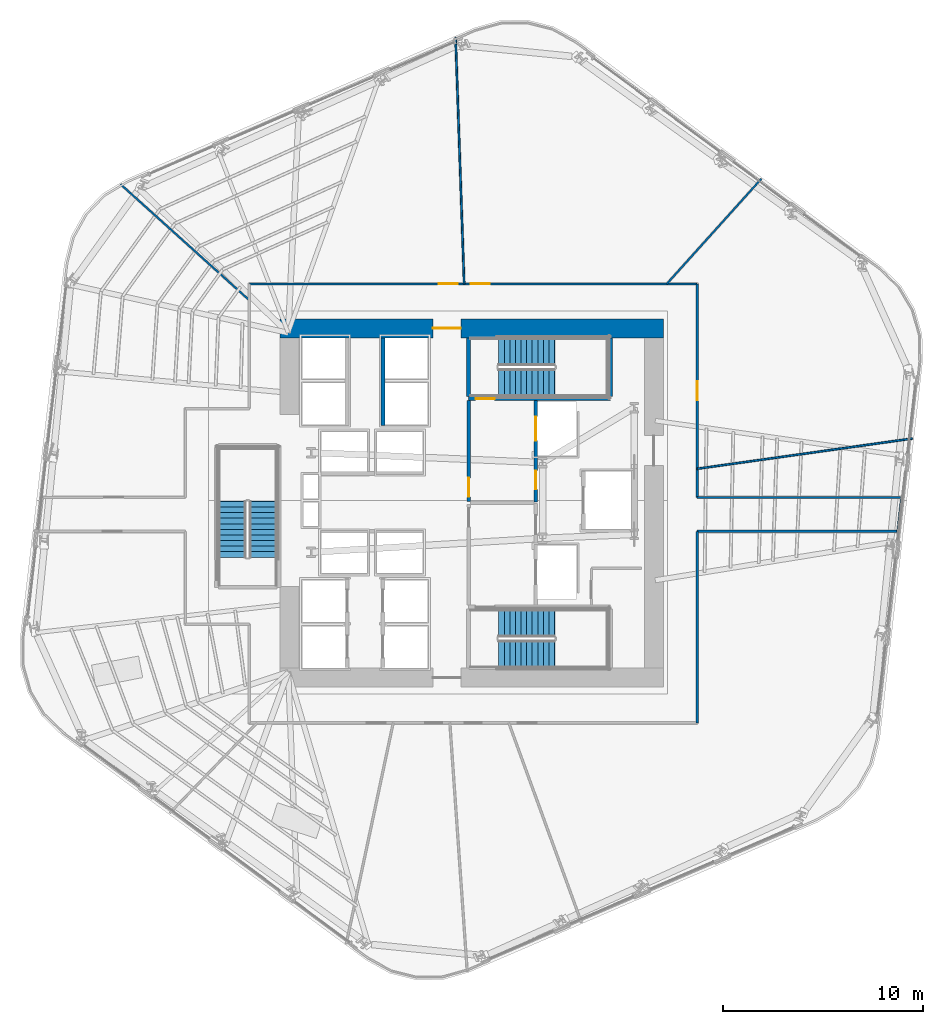
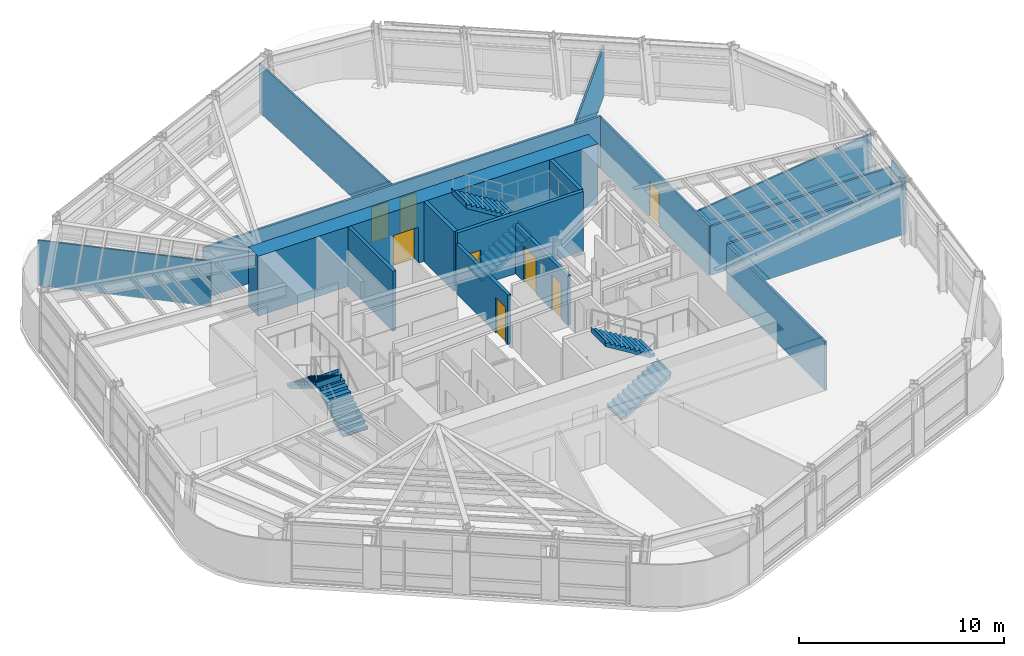
# One storey, part 10 of 16: 17 walls, 8 doors, 6 stair flights, 8 openings, 3 elements without a shape of their own.
"""IFC4 building model written with IfcOpenShell, lengths in metres."""

from ifc_helpers import new_model, si_unit, direction, frame, frame_2d, origin, place, context, subcontext, project, spatial, polyline, rectangle, outline, extrude, material, layer, layer_set, type_object, element, fill, aggregate, save


model = new_model("IFC4")

# Units and contexts
model_context = context("Model", 3, precision=1e-05, world=origin(), true_north=direction((0.0, 1.0)))
body_context = subcontext(model_context, "Body", "Model", "MODEL_VIEW")
ifc_project = project(units=[si_unit("LENGTHUNIT", "METRE"), si_unit("AREAUNIT", "SQUARE_METRE"), si_unit("VOLUMEUNIT", "CUBIC_METRE"), si_unit("PLANEANGLEUNIT", "RADIAN"), si_unit("MASSUNIT", "GRAM", prefix="KILO")], contexts=[model_context])

# Site, building, storey
site_placement = place(None, origin())
site = spatial("IfcSite", under=ifc_project, at=site_placement, CompositionType="ELEMENT")
building_placement = place(site_placement, origin())
building = spatial("IfcBuilding", under=site, at=building_placement, Name="Valkerne Bourse Tower", CompositionType="ELEMENT")
storey_placement = place(building_placement, frame((0.0, 0.0, 123.800048828125)))
storey = spatial("IfcBuildingStorey", under=building, at=storey_placement, Name="L31", CompositionType="ELEMENT", Elevation=123.800048828125)

# Wall, opening, door
ifc_material_1 = material(Name="Concrete C70/85", Category="concrete")
ifc_layer_1 = layer(ifc_material_1, 0.949951171875)
ifc_layer_set_1 = layer_set([ifc_layer_1], Name="Concrete C70/85")
wall_type_1 = type_object("IfcWallType", Name="W-CORE-950", PredefinedType="SHEAR", material=ifc_layer_set_1)
wall_1_placement = place(storey_placement, frame((37.199951171875, 35.625, 0.0), z_axis=(0.0, 0.0, 1.0), x_axis=(1.0, 0.0, 0.0)))
wall_1 = element("IfcWall", 1, at=wall_1_placement, inside=storey, type_object=wall_type_1, Name="L31 Core Shear Wall NORTH", PredefinedType="SHEAR", context=body_context, shape_type="SweptSolid", body=[
    extrude(rectangle(XDim=19.199951171875, YDim=0.949951171875, at=frame_2d((9.60009765625, 0.0))), origin(), (0.0, 0.0, 1.0), 3.579833984375),
])
opening_1_placement = place(wall_1_placement, frame((7.64990234375, 0.0, 0.0)))
opening_1 = element("IfcOpeningElement", 2, at=opening_1_placement, cuts=wall_1, Name="Opening D-PL-1400", PredefinedType="OPENING", context=body_context, shape_type="SweptSolid", body=[
    extrude(rectangle(XDim=1.39990234375, YDim=2.14990234375, at=frame_2d((0.699951171875, 1.074951171875))), frame((0.0, 0.48486328125, 0.0), z_axis=(0.0, -1.0, 0.0), x_axis=(1.0, 0.0, 0.0)), (0.0, 0.0, 1.0), 0.969970703125),
])
ifc_material_2 = material(Name="Galvanised Painted Steel", Category="steel")
door_type_1 = type_object("IfcDoorType", Name="DR-PLT-1400", OperationType="DOUBLE_DOOR_SINGLE_SWING", PredefinedType="DOOR", material=ifc_material_2)
door_1_placement = place(opening_1_placement, origin())
door_1 = element("IfcDoor", 3, at=door_1_placement, inside=storey, type_object=door_type_1, Name="L31 North Passenger Lift Hall Fire Door", OperationType="DOUBLE_DOOR_SINGLE_SWING", OverallHeight=2.14990234375, OverallWidth=1.39990234375, PredefinedType="DOOR", context=body_context, shape_type="SweptSolid", body=[
    extrude(rectangle(XDim=1.39990234375, YDim=2.14990234375, at=frame_2d((0.699951171875, 1.074951171875))), frame((0.0, 0.02490234375, 0.0), z_axis=(0.0, -1.0, 0.0), x_axis=(1.0, 0.0, 0.0)), (0.0, 0.0, 1.0), 0.050048828125),
])
fill(opening_1, door_1)

# Walls
ifc_material_3 = material(Name="Gypsum Board Steel-Stud Partition", Category="steel")
ifc_layer_2 = layer(ifc_material_3, 0.117919921875)
ifc_layer_set_2 = layer_set([ifc_layer_2], Name="Gypsum Board Steel-Stud Partition")
wall_type_2 = type_object("IfcWallType", Name="W-CORR-140", PredefinedType="PARTITIONING", material=ifc_layer_set_2)
wall_2_placement = place(storey_placement, frame((58.10009765625, 27.14990234375, 0.0), z_axis=(0.0, 0.0, 1.0), x_axis=(1.0, 0.0, 0.0)))
element("IfcWall", 4, at=wall_2_placement, inside=storey, type_object=wall_type_2, Name="L31 Corridor Enclosure Wall", PredefinedType="PARTITIONING", context=body_context, shape_type="SweptSolid", body=[
    extrude(rectangle(XDim=10.2001953125, YDim=0.117919921875, at=frame_2d((5.10009765625, 0.0))), origin(), (0.0, 0.0, 1.0), 2.92236328125),
])
wall_3_placement = place(storey_placement, frame((68.340087890625, 27.105224609375, 0.0), z_axis=(0.0, 0.0, 1.0), x_axis=(-0.112843923144, -0.993612725869, 0.0)))
element("IfcWall", 5, at=wall_3_placement, inside=storey, type_object=wall_type_2, Name="L31 Corridor Enclosure Wall", PredefinedType="PARTITIONING", context=body_context, shape_type="SweptSolid", body=[
    extrude(rectangle(XDim=1.666015625, YDim=0.117919921875, at=frame_2d((0.8330078125, 0.0))), origin(), (0.0, 0.0, 1.0), 3.280029296875),
])
wall_4_placement = place(storey_placement, frame((68.152099609375, 25.449951171875, 0.0), z_axis=(0.0, 0.0, 1.0), x_axis=(-1.0, 0.0, 0.0)))
element("IfcWall", 6, at=wall_4_placement, inside=storey, type_object=wall_type_2, Name="L31 Corridor Enclosure Wall", PredefinedType="PARTITIONING", context=body_context, shape_type="SweptSolid", body=[
    extrude(rectangle(XDim=10.052001953125, YDim=0.117919921875, at=frame_2d((5.02587890625, 0.0))), origin(), (0.0, 0.0, 1.0), 2.92236328125),
])
wall_5_placement = place(storey_placement, frame((58.10009765625, 25.449951171875, 0.0), z_axis=(0.0, 0.0, 1.0), x_axis=(0.0, -1.0, 0.0)))
element("IfcWall", 7, at=wall_5_placement, inside=storey, type_object=wall_type_2, Name="L31 Corridor Enclosure Wall", PredefinedType="PARTITIONING", context=body_context, shape_type="SweptSolid", body=[
    extrude(rectangle(XDim=9.599853515625, YDim=0.117919921875, at=frame_2d((4.7998046875, 0.0))), origin(), (0.0, 0.0, 1.0), 2.87646484375),
])

# Wall, openings, doors
wall_6_placement = place(storey_placement, frame((35.64990234375, 37.85009765625, 0.0), z_axis=(0.0, 0.0, 1.0), x_axis=(1.0, 0.0, 0.0)))
wall_6 = element("IfcWall", 8, at=wall_6_placement, inside=storey, type_object=wall_type_2, Name="L31 Corridor Enclosure Wall", PredefinedType="PARTITIONING", context=body_context, shape_type="SweptSolid", body=[
    extrude(rectangle(XDim=22.4501953125, YDim=0.117919921875, at=frame_2d((11.22509765625, 0.0))), origin(), (0.0, 0.0, 1.0), 3.03662109375),
])
opening_2_placement = place(wall_6_placement, frame((9.489990234375, 0.0, 0.0)))
opening_2 = element("IfcOpeningElement", 9, at=opening_2_placement, cuts=wall_6, Name="Opening D-OF-950", PredefinedType="OPENING", context=body_context, shape_type="SweptSolid", body=[
    extrude(rectangle(XDim=0.949951171875, YDim=2.10009765625, at=frame_2d((0.47509765625, 1.050048828125))), frame((0.0, 0.06884765625, 0.0), z_axis=(0.0, -1.0, 0.0), x_axis=(1.0, 0.0, 0.0)), (0.0, 0.0, 1.0), 0.137939453125),
])
opening_3_placement = place(wall_6_placement, frame((11.110107421875, 0.0, 0.0)))
opening_3 = element("IfcOpeningElement", 10, at=opening_3_placement, cuts=wall_6, Name="Opening D-OF-950", PredefinedType="OPENING", context=body_context, shape_type="SweptSolid", body=[
    extrude(rectangle(XDim=0.949951171875, YDim=2.10009765625, at=frame_2d((0.47509765625, 1.050048828125))), frame((0.0, 0.06884765625, 0.0), z_axis=(0.0, -1.0, 0.0), x_axis=(1.0, 0.0, 0.0)), (0.0, 0.0, 1.0), 0.137939453125),
])
ifc_material_4 = material(Name="Architectural White Oak Timber", Category="wood")
door_type_2 = type_object("IfcDoorType", Name="DR-OFF-950", OperationType="NOTDEFINED", PredefinedType="DOOR", material=ifc_material_4)
door_2_placement = place(opening_2_placement, origin())
door_2 = element("IfcDoor", 11, at=door_2_placement, inside=storey, type_object=door_type_2, Name="L31 L31 Hospitality Catering Kitchen 7 Door", OperationType="SINGLE_SWING_LEFT", OverallHeight=2.10009765625, OverallWidth=0.949951171875, PredefinedType="DOOR", context=body_context, shape_type="SweptSolid", body=[
    extrude(rectangle(XDim=0.949951171875, YDim=2.10009765625, at=frame_2d((0.47509765625, 1.050048828125))), frame((0.0, 0.02490234375, 0.0), z_axis=(0.0, -1.0, 0.0), x_axis=(1.0, 0.0, 0.0)), (0.0, 0.0, 1.0), 0.050048828125),
])
fill(opening_2, door_2)
door_3_placement = place(opening_3_placement, origin())
door_3 = element("IfcDoor", 12, at=door_3_placement, inside=storey, type_object=door_type_2, Name="L31 L31 Hospitality Catering Kitchen 8 Door", OperationType="SINGLE_SWING_LEFT", OverallHeight=2.10009765625, OverallWidth=0.949951171875, PredefinedType="DOOR", context=body_context, shape_type="SweptSolid", body=[
    extrude(rectangle(XDim=0.949951171875, YDim=2.10009765625, at=frame_2d((0.47509765625, 1.050048828125))), frame((0.0, 0.02490234375, 0.0), z_axis=(0.0, -1.0, 0.0), x_axis=(1.0, 0.0, 0.0)), (0.0, 0.0, 1.0), 0.050048828125),
])
fill(opening_3, door_3)

# Wall, opening, door
wall_7_placement = place(storey_placement, frame((58.10009765625, 37.85009765625, 0.0), z_axis=(0.0, 0.0, 1.0), x_axis=(0.0, -1.0, 0.0)))
wall_7 = element("IfcWall", 13, at=wall_7_placement, inside=storey, type_object=wall_type_2, Name="L31 Corridor Enclosure Wall", PredefinedType="PARTITIONING", context=body_context, shape_type="SweptSolid", body=[
    extrude(rectangle(XDim=10.7001953125, YDim=0.117919921875, at=frame_2d((5.35009765625, 0.0))), origin(), (0.0, 0.0, 1.0), 2.962890625),
])
opening_4_placement = place(wall_7_placement, frame((4.875, 0.0, 0.0)))
opening_4 = element("IfcOpeningElement", 14, at=opening_4_placement, cuts=wall_7, Name="Opening D-OF-950", PredefinedType="OPENING", context=body_context, shape_type="SweptSolid", body=[
    extrude(rectangle(XDim=0.949951171875, YDim=2.10009765625, at=frame_2d((0.47509765625, 1.050048828125))), frame((0.0, 0.06884765625, 0.0), z_axis=(0.0, -1.0, 0.0), x_axis=(1.0, 0.0, 0.0)), (0.0, 0.0, 1.0), 0.137939453125),
])
door_4_placement = place(opening_4_placement, origin())
door_4 = element("IfcDoor", 15, at=door_4_placement, inside=storey, type_object=door_type_2, Name="L31 L31 Occupational Wellness Clinic 6 Door", OperationType="SINGLE_SWING_LEFT", OverallHeight=2.10009765625, OverallWidth=0.949951171875, PredefinedType="DOOR", context=body_context, shape_type="SweptSolid", body=[
    extrude(rectangle(XDim=0.949951171875, YDim=2.10009765625, at=frame_2d((0.47509765625, 1.050048828125))), frame((0.0, 0.02490234375, 0.0), z_axis=(0.0, -1.0, 0.0), x_axis=(1.0, 0.0, 0.0)), (0.0, 0.0, 1.0), 0.050048828125),
])
fill(opening_4, door_4)

ifc_material_5 = material(Name="Gypsum Fire-Rated Shaftwall", Category="gypsum")
ifc_layer_3 = layer(ifc_material_5, 0.179931640625)
ifc_layer_set_3 = layer_set([ifc_layer_3], Name="Gypsum Fire-Rated Shaftwall")
wall_type_3 = type_object("IfcWallType", Name="W-FSAE-180", PredefinedType="PARTITIONING", material=ifc_layer_set_3)
wall_8_placement = place(storey_placement, frame((46.64990234375, 26.9599609375, 0.0), z_axis=(0.0, 0.0, 1.0), x_axis=(0.0, 1.0, 0.0)))
wall_8 = element("IfcWall", 16, at=wall_8_placement, inside=storey, type_object=wall_type_3, Name="L31 FSAE-2 Lobby West Fire Wall", PredefinedType="PARTITIONING", context=body_context, shape_type="SweptSolid", body=[
    extrude(rectangle(XDim=5.0400390625, YDim=0.179931640625, at=frame_2d((2.52001953125, 0.0))), origin(), (0.0, 0.0, 1.0), 2.957763671875),
])
opening_5_placement = place(wall_8_placement, frame((0.219970703125, 0.0, 0.0)))
opening_5 = element("IfcOpeningElement", 17, at=opening_5_placement, cuts=wall_8, Name="Opening D-FS-950", PredefinedType="OPENING", context=body_context, shape_type="SweptSolid", body=[
    extrude(rectangle(XDim=0.949951171875, YDim=2.10009765625, at=frame_2d((0.47509765625, 1.050048828125))), frame((0.0, 0.099853515625, 0.0), z_axis=(0.0, -1.0, 0.0), x_axis=(1.0, 0.0, 0.0)), (0.0, 0.0, 1.0), 0.199951171875),
])
door_type_3 = type_object("IfcDoorType", Name="DR-FSAE-950", OperationType="NOTDEFINED", PredefinedType="DOOR", material=ifc_material_2)
door_5_placement = place(opening_5_placement, origin())
door_5 = element("IfcDoor", 18, at=door_5_placement, inside=storey, type_object=door_type_3, Name="L31 FSAE-2 Hall Link Fire Door", OperationType="SINGLE_SWING_LEFT", OverallHeight=2.10009765625, OverallWidth=0.949951171875, PredefinedType="DOOR", context=body_context, shape_type="SweptSolid", body=[
    extrude(rectangle(XDim=0.949951171875, YDim=2.10009765625, at=frame_2d((0.47509765625, 1.050048828125))), frame((0.0, 0.02490234375, 0.0), z_axis=(0.0, -1.0, 0.0), x_axis=(1.0, 0.0, 0.0)), (0.0, 0.0, 1.0), 0.050048828125),
])
fill(opening_5, door_5)

# Wall, openings, doors
wall_9_placement = place(storey_placement, frame((50.0, 26.919921875, 0.0), z_axis=(0.0, 0.0, 1.0), x_axis=(0.0, 1.0, 0.0)))
wall_9 = element("IfcWall", 19, at=wall_9_placement, inside=storey, type_object=wall_type_3, Name="L31 FSAE-2 Lobby & Shaft Front Wall", PredefinedType="PARTITIONING", context=body_context, shape_type="SweptSolid", body=[
    extrude(rectangle(XDim=5.080078125, YDim=0.179931640625, at=frame_2d((2.5400390625, 0.0))), origin(), (0.0, 0.0, 1.0), 2.957763671875),
])
opening_6_placement = place(wall_9_placement, frame((3.080078125, 0.0, 0.0)))
opening_6 = element("IfcOpeningElement", 20, at=opening_6_placement, cuts=wall_9, Name="Opening LD-1200", PredefinedType="OPENING", context=body_context, shape_type="SweptSolid", body=[
    extrude(rectangle(XDim=1.199951171875, YDim=2.14990234375, at=frame_2d((0.60009765625, 1.074951171875))), frame((0.0, 0.099853515625, 0.0), z_axis=(0.0, -1.0, 0.0), x_axis=(1.0, 0.0, 0.0)), (0.0, 0.0, 1.0), 0.199951171875),
])
opening_7_placement = place(wall_9_placement, frame((0.6298828125, 0.0, 0.0)))
opening_7 = element("IfcOpeningElement", 21, at=opening_7_placement, cuts=wall_9, Name="Opening D-FS-950", PredefinedType="OPENING", context=body_context, shape_type="SweptSolid", body=[
    extrude(rectangle(XDim=0.949951171875, YDim=2.10009765625, at=frame_2d((0.47509765625, 1.050048828125))), frame((0.0, 0.099853515625, 0.0), z_axis=(0.0, -1.0, 0.0), x_axis=(1.0, 0.0, 0.0)), (0.0, 0.0, 1.0), 0.199951171875),
])
door_6_placement = place(opening_7_placement, origin())
door_6 = element("IfcDoor", 22, at=door_6_placement, inside=storey, type_object=door_type_3, Name="L31 FSAE-2 Lobby Corridor Fire Door", OperationType="SINGLE_SWING_RIGHT", OverallHeight=2.10009765625, OverallWidth=0.949951171875, PredefinedType="DOOR", context=body_context, shape_type="SweptSolid", body=[
    extrude(rectangle(XDim=0.949951171875, YDim=2.10009765625, at=frame_2d((0.47509765625, 1.050048828125))), frame((0.0, 0.02490234375, 0.0), z_axis=(0.0, -1.0, 0.0), x_axis=(1.0, 0.0, 0.0)), (0.0, 0.0, 1.0), 0.050048828125),
])
fill(opening_7, door_6)
ifc_material_6 = material(Name="Stainless Steel AISI 316", Category="steel")
door_type_4 = type_object("IfcDoorType", Name="DR-LIFT-1200", OperationType="DOUBLE_DOOR_SLIDING", PredefinedType="DOOR", material=ifc_material_6)
door_7_placement = place(opening_6_placement, origin())
door_7 = element("IfcDoor", 23, at=door_7_placement, inside=storey, type_object=door_type_4, Name="L31 FSAE-2 Firefighting Lift Landing Door", OperationType="DOUBLE_DOOR_SLIDING", OverallHeight=2.14990234375, OverallWidth=1.199951171875, PredefinedType="DOOR", context=body_context, shape_type="SweptSolid", body=[
    extrude(rectangle(XDim=1.199951171875, YDim=2.14990234375, at=frame_2d((0.60009765625, 1.074951171875))), frame((0.0, 0.02490234375, 0.0), z_axis=(0.0, -1.0, 0.0), x_axis=(1.0, 0.0, 0.0)), (0.0, 0.0, 1.0), 0.050048828125),
])
fill(opening_6, door_7)

# Walls
ifc_material_7 = material(Name="CMU Blockwork Masonry 200mm", Category="masonry")
ifc_layer_4 = layer(ifc_material_7, 0.179931640625)
ifc_layer_set_4 = layer_set([ifc_layer_4], Name="CMU Blockwork Masonry 200mm")
wall_type_4 = type_object("IfcWallType", Name="W-LFT-180", PredefinedType="SOLIDWALL", material=ifc_layer_set_4)
wall_10_placement = place(storey_placement, frame((42.35009765625, 30.75, 0.0), z_axis=(0.0, 0.0, 1.0), x_axis=(0.0, 1.0, 0.0)))
element("IfcWall", 24, at=wall_10_placement, inside=storey, type_object=wall_type_4, Name="L31 Mid-Zone East Cars Front Wall", PredefinedType="SOLIDWALL", context=body_context, shape_type="SweptSolid", body=[
    extrude(rectangle(XDim=4.39990234375, YDim=0.179931640625, at=frame_2d((2.199951171875, 0.0))), origin(), (0.0, 0.0, 1.0), 3.579833984375),
])
ifc_layer_5 = layer(ifc_material_3, 0.092041015625)
ifc_layer_set_5 = layer_set([ifc_layer_5], Name="Gypsum Board Steel-Stud Partition")
wall_type_5 = type_object("IfcWallType", Name="W-PART-115", PredefinedType="PARTITIONING", material=ifc_layer_set_5)
wall_11_placement = place(storey_placement, frame((58.10498046875, 28.5888671875, 0.0), z_axis=(0.0, 0.0, 1.0), x_axis=(0.990270095664, 0.139158677892, 0.0)))
element("IfcWall", 25, at=wall_11_placement, inside=storey, type_object=wall_type_5, Name="L31 Suite Partition P04", PredefinedType="PARTITIONING", context=body_context, shape_type="SweptSolid", body=[
    extrude(rectangle(XDim=10.89306640625, YDim=0.092041015625, at=frame_2d((5.446533203125, 0.0))), origin(), (0.0, 0.0, 1.0), 2.92236328125),
])
wall_12_placement = place(storey_placement, frame((56.573974609375, 37.85498046875, 0.0), z_axis=(0.0, 0.0, 1.0), x_axis=(0.669115101408, 0.743158785905, 0.0)))
element("IfcWall", 26, at=wall_12_placement, inside=storey, type_object=wall_type_5, Name="L31 Suite Partition P05", PredefinedType="PARTITIONING", context=body_context, shape_type="SweptSolid", body=[
    extrude(rectangle(XDim=7.085693359375, YDim=0.092041015625, at=frame_2d((3.54296875, 0.0))), origin(), (0.0, 0.0, 1.0), 2.92236328125),
])
wall_13_placement = place(storey_placement, frame((46.4208984375, 37.85498046875, 0.0), z_axis=(0.0, 0.0, 1.0), x_axis=(-0.03490794398, 0.999390531998, 0.0)))
element("IfcWall", 27, at=wall_13_placement, inside=storey, type_object=wall_type_5, Name="L31 Suite Partition P06", PredefinedType="PARTITIONING", context=body_context, shape_type="SweptSolid", body=[
    extrude(rectangle(XDim=12.358154296875, YDim=0.092041015625, at=frame_2d((6.17919921875, 0.0))), origin(), (0.0, 0.0, 1.0), 2.92236328125),
])
wall_14_placement = place(storey_placement, frame((35.64501953125, 37.0439453125, 0.0), z_axis=(0.0, 0.0, 1.0), x_axis=(-0.743147132013, 0.669128044683, 0.0)))
element("IfcWall", 28, at=wall_14_placement, inside=storey, type_object=wall_type_5, Name="L31 Suite Partition P07", PredefinedType="PARTITIONING", context=body_context, shape_type="SweptSolid", body=[
    extrude(rectangle(XDim=8.67138671875, YDim=0.092041015625, at=frame_2d((4.335693359375, 0.0))), origin(), (0.0, 0.0, 1.0), 2.71142578125),
])

# Wall, opening, door
ifc_material_8 = material(Name="Concrete C40/50", Category="concrete")
ifc_layer_6 = layer(ifc_material_8, 0.199951171875)
ifc_layer_set_6 = layer_set([ifc_layer_6], Name="Concrete C40/50")
wall_type_6 = type_object("IfcWallType", Name="W-SHF-200", PredefinedType="SHEAR", material=ifc_layer_set_6)
wall_15_placement = place(storey_placement, frame((46.64990234375, 32.10009765625, 0.0), z_axis=(0.0, 0.0, 1.0), x_axis=(1.0, 0.0, 0.0)))
wall_15 = element("IfcWall", 29, at=wall_15_placement, inside=storey, type_object=wall_type_6, Name="L31 Exit Stair ST-2 Structural Shaft Wall South", PredefinedType="SHEAR", context=body_context, shape_type="SweptSolid", body=[
    extrude(rectangle(XDim=7.10009765625, YDim=0.199951171875, at=frame_2d((3.550048828125, 0.0))), origin(), (0.0, 0.0, 1.0), 3.579833984375),
])
opening_8_placement = place(wall_15_placement, frame((0.35009765625, 0.0, 0.0)))
opening_8 = element("IfcOpeningElement", 30, at=opening_8_placement, cuts=wall_15, Name="Opening D-ST-950", PredefinedType="OPENING", context=body_context, shape_type="SweptSolid", body=[
    extrude(rectangle(XDim=0.949951171875, YDim=2.10009765625, at=frame_2d((0.47509765625, 1.050048828125))), frame((0.0, 0.10986328125, 0.0), z_axis=(0.0, -1.0, 0.0), x_axis=(1.0, 0.0, 0.0)), (0.0, 0.0, 1.0), 0.219970703125),
])
door_type_5 = type_object("IfcDoorType", Name="DR-STAIR-950", OperationType="NOTDEFINED", PredefinedType="DOOR", material=ifc_material_2)
door_8_placement = place(opening_8_placement, origin())
door_8 = element("IfcDoor", 31, at=door_8_placement, inside=storey, type_object=door_type_5, Name="L31 Exit Stair ST-2 Door", OperationType="SINGLE_SWING_LEFT", OverallHeight=2.10009765625, OverallWidth=0.949951171875, PredefinedType="DOOR", context=body_context, shape_type="SweptSolid", body=[
    extrude(rectangle(XDim=0.949951171875, YDim=2.10009765625, at=frame_2d((0.47509765625, 1.050048828125))), frame((0.0, 0.02490234375, 0.0), z_axis=(0.0, -1.0, 0.0), x_axis=(1.0, 0.0, 0.0)), (0.0, 0.0, 1.0), 0.050048828125),
])
fill(opening_8, door_8)

# Walls
for number, where, z_axis, x_axis, name in (
    (32, (46.64990234375, 32.199951171875, 0.0), (0.0, 0.0, 1.0), (0.0, 1.0, 0.0), "L31 Exit Stair ST-2 Structural Shaft Wall West"),
    (33, (53.75, 32.199951171875, 0.0), (0.0, 0.0, 1.0), (0.0, 1.0, 0.0), "L31 Exit Stair ST-2 Structural Shaft Wall East"),
):
    element("IfcWall", number, at=place(storey_placement, frame(where, z_axis=z_axis, x_axis=x_axis)), inside=storey, type_object=wall_type_6, Name=name, PredefinedType="SHEAR", context=body_context, shape_type="SweptSolid", body=[
        extrude(rectangle(XDim=2.949951171875, YDim=0.199951171875, at=frame_2d((1.47509765625, 0.0))), origin(), (0.0, 0.0, 1.0), 3.579833984375),
    ])

# Stair, stair flights
stair_type = type_object("IfcStairType", Name="ST-CORE-1400", PredefinedType="HALF_TURN_STAIR", material=ifc_material_8)
stair_1_placement = place(storey_placement, origin())
stair_1 = element("IfcStair", 34, at=stair_1_placement, inside=storey, type_object=stair_type, Name="L31 ST-1", PredefinedType="HALF_TURN_STAIR")
stair_flight_type = type_object("IfcStairFlightType", Name="STF-CORE-1400", PredefinedType="STRAIGHT", material=ifc_material_8)
stair_flight_1_placement = place(storey_placement, frame((48.14990234375, 19.300048828125, 0.0), z_axis=(0.0, 0.0, 1.0), x_axis=(1.0, 0.0, 0.0)))
stair_flight_1 = element("IfcStairFlight", 35, at=stair_flight_1_placement, type_object=stair_flight_type, Name="ST-1 flight 1", NumberOfRisers=11, NumberOfTreads=10, PredefinedType="STRAIGHT", RiserHeight=0.172727273, TreadLength=0.28, context=body_context, shape_type="SweptSolid", body=[
    extrude(outline(polyline([(-0.02001953125, 0.0), (-0.02001953125, 0.044921875), (0.0, 0.044921875), (0.0, 0.172607421875), (0.280029296875, 0.172607421875), (0.280029296875, 0.345458984375), (0.56005859375, 0.345458984375), (0.56005859375, 0.51806640625), (0.840087890625, 0.51806640625), (0.840087890625, 0.69091796875), (1.1201171875, 0.69091796875), (1.1201171875, 0.863525390625), (1.39990234375, 0.863525390625), (1.39990234375, 1.036376953125), (1.679931640625, 1.036376953125), (1.679931640625, 1.208984375), (1.9599609375, 1.208984375), (1.9599609375, 1.3818359375), (2.239990234375, 1.3818359375), (2.239990234375, 1.554443359375), (2.52001953125, 1.554443359375), (2.52001953125, 1.727294921875), (2.800048828125, 1.727294921875), (2.800048828125, 1.89990234375), (2.820068359375, 1.89990234375), (2.820068359375, 1.780029296875), (2.800048828125, 1.551025390625), (0.285400390625, 0.0), (-0.02001953125, 0.0)])), frame((0.0, 0.699951171875, 0.0), z_axis=(0.0, -1.0, 0.0), x_axis=(1.0, 0.0, 0.0)), (0.0, 0.0, 1.0), 1.39990234375),
])
stair_flight_2_placement = place(storey_placement, frame((50.949951171875, 20.85009765625, 1.89990234375), z_axis=(0.0, 0.0, 1.0), x_axis=(-1.0, 0.0, 0.0)))
stair_flight_2 = element("IfcStairFlight", 36, at=stair_flight_2_placement, type_object=stair_flight_type, Name="ST-1 flight 2", NumberOfRisers=11, NumberOfTreads=10, PredefinedType="STRAIGHT", RiserHeight=0.172727273, TreadLength=0.28, context=body_context, shape_type="SweptSolid", body=[
    extrude(outline(polyline([(-0.02001953125, 0.0), (-0.02001953125, 0.044921875), (0.0, 0.044921875), (0.0, 0.172607421875), (0.280029296875, 0.172607421875), (0.280029296875, 0.345458984375), (0.56005859375, 0.345458984375), (0.56005859375, 0.51806640625), (0.840087890625, 0.51806640625), (0.840087890625, 0.69091796875), (1.1201171875, 0.69091796875), (1.1201171875, 0.863525390625), (1.39990234375, 0.863525390625), (1.39990234375, 1.036376953125), (1.679931640625, 1.036376953125), (1.679931640625, 1.208984375), (1.9599609375, 1.208984375), (1.9599609375, 1.3818359375), (2.239990234375, 1.3818359375), (2.239990234375, 1.554443359375), (2.52001953125, 1.554443359375), (2.52001953125, 1.727294921875), (2.800048828125, 1.727294921875), (2.800048828125, 1.89990234375), (2.820068359375, 1.89990234375), (2.820068359375, 1.780029296875), (2.800048828125, 1.551025390625), (0.285400390625, 0.0), (-0.02001953125, 0.0)])), frame((0.0, 0.699951171875, 0.0), z_axis=(0.0, -1.0, 0.0), x_axis=(1.0, 0.0, 0.0)), (0.0, 0.0, 1.0), 1.39990234375),
])
aggregate(stair_1, [stair_flight_1, stair_flight_2])

stair_2_placement = place(storey_placement, origin())
stair_2 = element("IfcStair", 37, at=stair_2_placement, inside=storey, type_object=stair_type, Name="L31 ST-2", PredefinedType="HALF_TURN_STAIR")
stair_flight_3_placement = place(storey_placement, frame((48.14990234375, 32.89990234375, 0.0), z_axis=(0.0, 0.0, 1.0), x_axis=(1.0, 0.0, 0.0)))
stair_flight_3 = element("IfcStairFlight", 38, at=stair_flight_3_placement, type_object=stair_flight_type, Name="ST-2 flight 1", NumberOfRisers=11, NumberOfTreads=10, PredefinedType="STRAIGHT", RiserHeight=0.172727273, TreadLength=0.28, context=body_context, shape_type="SweptSolid", body=[
    extrude(outline(polyline([(-0.02001953125, 0.0), (-0.02001953125, 0.044921875), (0.0, 0.044921875), (0.0, 0.172607421875), (0.280029296875, 0.172607421875), (0.280029296875, 0.345458984375), (0.56005859375, 0.345458984375), (0.56005859375, 0.51806640625), (0.840087890625, 0.51806640625), (0.840087890625, 0.69091796875), (1.1201171875, 0.69091796875), (1.1201171875, 0.863525390625), (1.39990234375, 0.863525390625), (1.39990234375, 1.036376953125), (1.679931640625, 1.036376953125), (1.679931640625, 1.208984375), (1.9599609375, 1.208984375), (1.9599609375, 1.3818359375), (2.239990234375, 1.3818359375), (2.239990234375, 1.554443359375), (2.52001953125, 1.554443359375), (2.52001953125, 1.727294921875), (2.800048828125, 1.727294921875), (2.800048828125, 1.89990234375), (2.820068359375, 1.89990234375), (2.820068359375, 1.780029296875), (2.800048828125, 1.551025390625), (0.285400390625, 0.0), (-0.02001953125, 0.0)])), frame((0.0, 0.699951171875, 0.0), z_axis=(0.0, -1.0, 0.0), x_axis=(1.0, 0.0, 0.0)), (0.0, 0.0, 1.0), 1.39990234375),
])
stair_flight_4_placement = place(storey_placement, frame((50.949951171875, 34.449951171875, 1.89990234375), z_axis=(0.0, 0.0, 1.0), x_axis=(-1.0, 0.0, 0.0)))
stair_flight_4 = element("IfcStairFlight", 39, at=stair_flight_4_placement, type_object=stair_flight_type, Name="ST-2 flight 2", NumberOfRisers=11, NumberOfTreads=10, PredefinedType="STRAIGHT", RiserHeight=0.172727273, TreadLength=0.28, context=body_context, shape_type="SweptSolid", body=[
    extrude(outline(polyline([(-0.02001953125, 0.0), (-0.02001953125, 0.044921875), (0.0, 0.044921875), (0.0, 0.172607421875), (0.280029296875, 0.172607421875), (0.280029296875, 0.345458984375), (0.56005859375, 0.345458984375), (0.56005859375, 0.51806640625), (0.840087890625, 0.51806640625), (0.840087890625, 0.69091796875), (1.1201171875, 0.69091796875), (1.1201171875, 0.863525390625), (1.39990234375, 0.863525390625), (1.39990234375, 1.036376953125), (1.679931640625, 1.036376953125), (1.679931640625, 1.208984375), (1.9599609375, 1.208984375), (1.9599609375, 1.3818359375), (2.239990234375, 1.3818359375), (2.239990234375, 1.554443359375), (2.52001953125, 1.554443359375), (2.52001953125, 1.727294921875), (2.800048828125, 1.727294921875), (2.800048828125, 1.89990234375), (2.820068359375, 1.89990234375), (2.820068359375, 1.780029296875), (2.800048828125, 1.551025390625), (0.285400390625, 0.0), (-0.02001953125, 0.0)])), frame((0.0, 0.699951171875, 0.0), z_axis=(0.0, -1.0, 0.0), x_axis=(1.0, 0.0, 0.0)), (0.0, 0.0, 1.0), 1.39990234375),
])
aggregate(stair_2, [stair_flight_3, stair_flight_4])

stair_3_placement = place(storey_placement, origin())
stair_3 = element("IfcStair", 40, at=stair_3_placement, inside=storey, type_object=stair_type, Name="L31 ST-3", PredefinedType="HALF_TURN_STAIR")
stair_flight_5_placement = place(storey_placement, frame((36.35009765625, 24.14990234375, 0.0), z_axis=(0.0, 0.0, 1.0), x_axis=(0.0, 1.0, 0.0)))
stair_flight_5 = element("IfcStairFlight", 41, at=stair_flight_5_placement, type_object=stair_flight_type, Name="ST-3 flight 1", NumberOfRisers=11, NumberOfTreads=10, PredefinedType="STRAIGHT", RiserHeight=0.172727273, TreadLength=0.28, context=body_context, shape_type="SweptSolid", body=[
    extrude(outline(polyline([(-0.02001953125, 0.0), (-0.02001953125, 0.044921875), (0.0, 0.044921875), (0.0, 0.172607421875), (0.280029296875, 0.172607421875), (0.280029296875, 0.345458984375), (0.56005859375, 0.345458984375), (0.56005859375, 0.51806640625), (0.840087890625, 0.51806640625), (0.840087890625, 0.69091796875), (1.1201171875, 0.69091796875), (1.1201171875, 0.863525390625), (1.39990234375, 0.863525390625), (1.39990234375, 1.036376953125), (1.679931640625, 1.036376953125), (1.679931640625, 1.208984375), (1.9599609375, 1.208984375), (1.9599609375, 1.3818359375), (2.239990234375, 1.3818359375), (2.239990234375, 1.554443359375), (2.52001953125, 1.554443359375), (2.52001953125, 1.727294921875), (2.800048828125, 1.727294921875), (2.800048828125, 1.89990234375), (2.820068359375, 1.89990234375), (2.820068359375, 1.780029296875), (2.800048828125, 1.551025390625), (0.285400390625, 0.0), (-0.02001953125, 0.0)])), frame((0.0, 0.699951171875, 0.0), z_axis=(0.0, -1.0, 0.0), x_axis=(1.0, 0.0, 0.0)), (0.0, 0.0, 1.0), 1.39990234375),
])
stair_flight_6_placement = place(storey_placement, frame((34.800048828125, 26.949951171875, 1.89990234375), z_axis=(0.0, 0.0, 1.0), x_axis=(0.0, -1.0, 0.0)))
stair_flight_6 = element("IfcStairFlight", 42, at=stair_flight_6_placement, type_object=stair_flight_type, Name="ST-3 flight 2", NumberOfRisers=11, NumberOfTreads=10, PredefinedType="STRAIGHT", RiserHeight=0.172727273, TreadLength=0.28, context=body_context, shape_type="SweptSolid", body=[
    extrude(outline(polyline([(-0.02001953125, 0.0), (-0.02001953125, 0.044921875), (0.0, 0.044921875), (0.0, 0.172607421875), (0.280029296875, 0.172607421875), (0.280029296875, 0.345458984375), (0.56005859375, 0.345458984375), (0.56005859375, 0.51806640625), (0.840087890625, 0.51806640625), (0.840087890625, 0.69091796875), (1.1201171875, 0.69091796875), (1.1201171875, 0.863525390625), (1.39990234375, 0.863525390625), (1.39990234375, 1.036376953125), (1.679931640625, 1.036376953125), (1.679931640625, 1.208984375), (1.9599609375, 1.208984375), (1.9599609375, 1.3818359375), (2.239990234375, 1.3818359375), (2.239990234375, 1.554443359375), (2.52001953125, 1.554443359375), (2.52001953125, 1.727294921875), (2.800048828125, 1.727294921875), (2.800048828125, 1.89990234375), (2.820068359375, 1.89990234375), (2.820068359375, 1.780029296875), (2.800048828125, 1.551025390625), (0.285400390625, 0.0), (-0.02001953125, 0.0)])), frame((0.0, 0.699951171875, 0.0), z_axis=(0.0, -1.0, 0.0), x_axis=(1.0, 0.0, 0.0)), (0.0, 0.0, 1.0), 1.39990234375),
])
aggregate(stair_3, [stair_flight_5, stair_flight_6])

save(model, "model.ifc")
